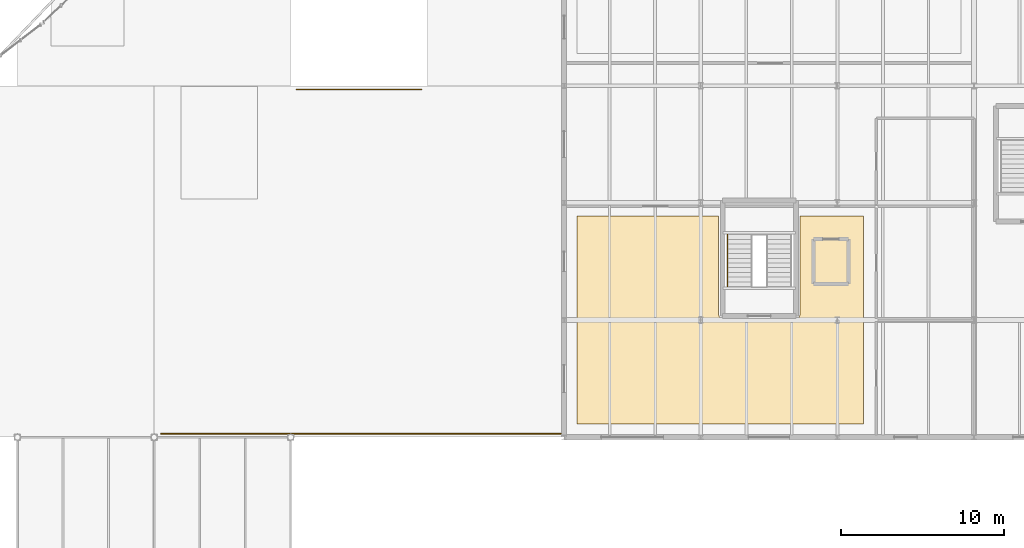
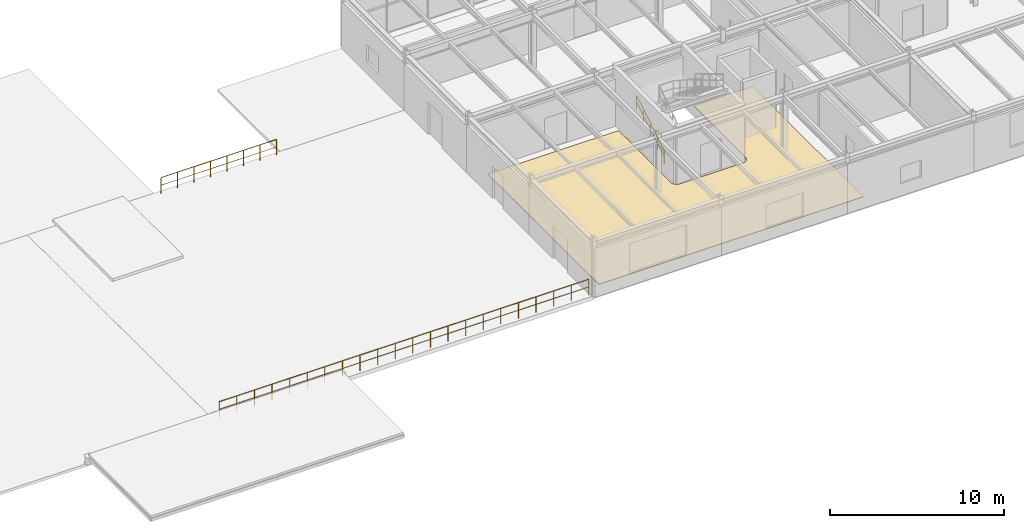
# One storey, part 70 of 73: 3 railings, 1 covering.
"""IFC4 building model written with IfcOpenShell, lengths in metres."""

from ifc_helpers import new_model, si_unit, derived_unit, direction, frame, origin, origin_2d, place, context, subcontext, project, spatial, polyline, circle, outline, extrude, material, layer, layer_set, type_object, element, save


model = new_model("IFC4")

# Units and contexts
model_context = context("Model", 3, precision=1e-05, world=origin(), true_north=direction((0.0, 1.0)))
body_context = subcontext(model_context, "Body", "Model", "MODEL_VIEW")
ifc_project = project(units=[si_unit("LENGTHUNIT", "METRE"), si_unit("AREAUNIT", "SQUARE_METRE"), si_unit("VOLUMEUNIT", "CUBIC_METRE"), si_unit("PLANEANGLEUNIT", "RADIAN"), si_unit("MASSUNIT", "GRAM", prefix="KILO"), derived_unit("THERMALTRANSMITTANCEUNIT", [(si_unit("MASSUNIT", "GRAM", prefix="KILO"), 1), (si_unit("TIMEUNIT", "SECOND"), -3), (si_unit("THERMODYNAMICTEMPERATUREUNIT", "KELVIN"), -1)])], contexts=[model_context])

# Site, building, storey
site_placement = place(None, origin())
site = spatial("IfcSite", under=ifc_project, at=site_placement, CompositionType="ELEMENT")
building_placement = place(site_placement, origin())
building = spatial("IfcBuilding", under=site, at=building_placement, Name="Kharveza Railside Sports Centre", CompositionType="ELEMENT")
storey_placement = place(building_placement, frame((0.0, 0.0, 8.699951171875)))
storey = spatial("IfcBuildingStorey", under=building, at=storey_placement, Name="L02", CompositionType="ELEMENT", Elevation=8.699951171875)

# Covering
ifc_material_1 = material(Name="Sprung maple sports flooring")
ifc_layer = layer(ifc_material_1, 0.044921875, Name="Sprung maple sports flooring")
ifc_layer_set = layer_set([ifc_layer], Name="Sprung maple sports flooring")
covering_type = type_object("IfcCoveringType", Name="CV-FL01", PredefinedType="FLOORING", material=ifc_layer_set)
covering_placement = place(storey_placement, origin())
element("IfcCovering", 1, at=covering_placement, inside=storey, type_object=covering_type, Name="COV-FL-DNC1", PredefinedType="FLOORING", context=body_context, shape_type="SweptSolid", body=[
    extrude(outline(polyline([(127.346923828125, 14.430419921875), (127.3837890625, 14.417236328125), (127.422119140625, 14.40771484375), (127.460693359375, 14.40185546875), (127.5, 14.39990234375), (131.699951171875, 14.39990234375), (131.7392578125, 14.40185546875), (131.778076171875, 14.40771484375), (131.816162109375, 14.417236328125), (131.85302734375, 14.430419921875), (131.888671875, 14.447265625), (131.922119140625, 14.46728515625), (131.953857421875, 14.49072265625), (131.98291015625, 14.51708984375), (132.00927734375, 14.546142578125), (132.03271484375, 14.577880859375), (132.052734375, 14.611328125), (132.069580078125, 14.64697265625), (132.082763671875, 14.683837890625), (132.09228515625, 14.721923828125), (132.09814453125, 14.7607421875), (132.10009765625, 14.800048828125), (132.10009765625, 20.800048828125), (136.0, 20.800048828125), (136.0, 8.0), (118.39990234375, 8.0), (118.39990234375, 20.800048828125), (127.10009765625, 20.800048828125), (127.10009765625, 14.800048828125), (127.101806640625, 14.7607421875), (127.107666015625, 14.721923828125), (127.1171875, 14.683837890625), (127.13037109375, 14.64697265625), (127.147216796875, 14.611328125), (127.16748046875, 14.577880859375), (127.19091796875, 14.546142578125), (127.21728515625, 14.51708984375), (127.24609375, 14.49072265625), (127.27783203125, 14.46728515625), (127.311279296875, 14.447265625), (127.346923828125, 14.430419921875)])), origin(), (0.0, 0.0, 1.0), 0.045166015625),
])

# Railings
ifc_material_2 = material(Name="Steel S275JR", Category="steel")
railing_type_1 = type_object("IfcRailingType", Name="RL-GD110", PredefinedType="GUARDRAIL", material=ifc_material_2)
railing_1_placement = place(storey_placement, frame((108.8427734375, 28.580078125, 0.0)))
element("IfcRailing", 2, at=railing_1_placement, inside=storey, type_object=railing_type_1, Name="RL-TERR-L02-01", PredefinedType="GUARDRAIL", context=body_context, shape_type="SweptSolid", body=[
    extrude(circle(Radius=0.02392578125, at=origin_2d()), frame((0.0, 0.0, 1.09619140625), z_axis=(-1.0, 0.0, 0.0), x_axis=(0.0, -1.0, 0.0)), (0.0, 0.0, 1.0), 7.685546875),
    extrude(circle(Radius=0.01611328125, at=origin_2d()), frame((0.0, 0.0, 0.56005859375), z_axis=(-1.0, 0.0, 0.0), x_axis=(0.0, -1.0, 0.0)), (0.0, 0.0, 1.0), 7.685546875),
    extrude(circle(Radius=0.02099609375, at=origin_2d()), origin(), (0.0, 0.0, 1.0), 1.072021484375),
    extrude(circle(Radius=0.02099609375, at=origin_2d()), frame((-1.097900390625, 0.0, 0.0)), (0.0, 0.0, 1.0), 1.072021484375),
    extrude(circle(Radius=0.02099609375, at=origin_2d()), frame((-2.19580078125, 0.0, 0.0)), (0.0, 0.0, 1.0), 1.072021484375),
    extrude(circle(Radius=0.02099609375, at=origin_2d()), frame((-3.293701171875, 0.0, 0.0)), (0.0, 0.0, 1.0), 1.072021484375),
    extrude(circle(Radius=0.02099609375, at=origin_2d()), frame((-4.391845703125, 0.0, 0.0)), (0.0, 0.0, 1.0), 1.072021484375),
    extrude(circle(Radius=0.02099609375, at=origin_2d()), frame((-5.48974609375, 0.0, 0.0)), (0.0, 0.0, 1.0), 1.072021484375),
    extrude(circle(Radius=0.02099609375, at=origin_2d()), frame((-6.587646484375, 0.0, 0.0)), (0.0, 0.0, 1.0), 1.072021484375),
    extrude(circle(Radius=0.02099609375, at=origin_2d()), frame((-7.685546875, 0.0, 0.0)), (0.0, 0.0, 1.0), 1.072021484375),
])
railing_2_placement = place(storey_placement, frame((92.820068359375, 7.419921875, 0.0)))
element("IfcRailing", 3, at=railing_2_placement, inside=storey, type_object=railing_type_1, Name="RL-TERR-L02-02", PredefinedType="GUARDRAIL", context=body_context, shape_type="SweptSolid", body=[
    extrude(circle(Radius=0.02392578125, at=origin_2d()), frame((0.0, 0.0, 1.09619140625), z_axis=(1.0, 0.0, 0.0), x_axis=(0.0, 1.0, 0.0)), (0.0, 0.0, 1.0), 24.579833984375),
    extrude(circle(Radius=0.01611328125, at=origin_2d()), frame((0.0, 0.0, 0.56005859375), z_axis=(1.0, 0.0, 0.0), x_axis=(0.0, 1.0, 0.0)), (0.0, 0.0, 1.0), 24.579833984375),
    extrude(circle(Radius=0.02099609375, at=origin_2d()), origin(), (0.0, 0.0, 1.0), 1.072021484375),
    extrude(circle(Radius=0.02099609375, at=origin_2d()), frame((1.17041015625, 0.0, 0.0)), (0.0, 0.0, 1.0), 1.072021484375),
    extrude(circle(Radius=0.02099609375, at=origin_2d()), frame((2.3408203125, 0.0, 0.0)), (0.0, 0.0, 1.0), 1.072021484375),
    extrude(circle(Radius=0.02099609375, at=origin_2d()), frame((3.511474609375, 0.0, 0.0)), (0.0, 0.0, 1.0), 1.072021484375),
    extrude(circle(Radius=0.02099609375, at=origin_2d()), frame((4.681884765625, 0.0, 0.0)), (0.0, 0.0, 1.0), 1.072021484375),
    extrude(circle(Radius=0.02099609375, at=origin_2d()), frame((5.852294921875, 0.0, 0.0)), (0.0, 0.0, 1.0), 1.072021484375),
    extrude(circle(Radius=0.02099609375, at=origin_2d()), frame((7.022705078125, 0.0, 0.0)), (0.0, 0.0, 1.0), 1.072021484375),
    extrude(circle(Radius=0.02099609375, at=origin_2d()), frame((8.193359375, 0.0, 0.0)), (0.0, 0.0, 1.0), 1.072021484375),
    extrude(circle(Radius=0.02099609375, at=origin_2d()), frame((9.36376953125, 0.0, 0.0)), (0.0, 0.0, 1.0), 1.072021484375),
    extrude(circle(Radius=0.02099609375, at=origin_2d()), frame((10.5341796875, 0.0, 0.0)), (0.0, 0.0, 1.0), 1.072021484375),
    extrude(circle(Radius=0.02099609375, at=origin_2d()), frame((11.70458984375, 0.0, 0.0)), (0.0, 0.0, 1.0), 1.072021484375),
    extrude(circle(Radius=0.02099609375, at=origin_2d()), frame((12.875244140625, 0.0, 0.0)), (0.0, 0.0, 1.0), 1.072021484375),
    extrude(circle(Radius=0.02099609375, at=origin_2d()), frame((14.045654296875, 0.0, 0.0)), (0.0, 0.0, 1.0), 1.072021484375),
    extrude(circle(Radius=0.02099609375, at=origin_2d()), frame((15.216064453125, 0.0, 0.0)), (0.0, 0.0, 1.0), 1.072021484375),
    extrude(circle(Radius=0.02099609375, at=origin_2d()), frame((16.386474609375, 0.0, 0.0)), (0.0, 0.0, 1.0), 1.072021484375),
    extrude(circle(Radius=0.02099609375, at=origin_2d()), frame((17.55712890625, 0.0, 0.0)), (0.0, 0.0, 1.0), 1.072021484375),
    extrude(circle(Radius=0.02099609375, at=origin_2d()), frame((18.7275390625, 0.0, 0.0)), (0.0, 0.0, 1.0), 1.072021484375),
    extrude(circle(Radius=0.02099609375, at=origin_2d()), frame((19.89794921875, 0.0, 0.0)), (0.0, 0.0, 1.0), 1.072021484375),
    extrude(circle(Radius=0.02099609375, at=origin_2d()), frame((21.068359375, 0.0, 0.0)), (0.0, 0.0, 1.0), 1.072021484375),
    extrude(circle(Radius=0.02099609375, at=origin_2d()), frame((22.239013671875, 0.0, 0.0)), (0.0, 0.0, 1.0), 1.072021484375),
    extrude(circle(Radius=0.02099609375, at=origin_2d()), frame((23.409423828125, 0.0, 0.0)), (0.0, 0.0, 1.0), 1.072021484375),
    extrude(circle(Radius=0.02099609375, at=origin_2d()), frame((24.579833984375, 0.0, 0.0)), (0.0, 0.0, 1.0), 1.072021484375),
])
railing_type_2 = type_object("IfcRailingType", Name="RL-HR092", PredefinedType="HANDRAIL", material=ifc_material_2)
railing_3_placement = place(storey_placement, frame((127.639892578125, 16.4599609375, 0.175048828125)))
element("IfcRailing", 4, at=railing_3_placement, inside=storey, type_object=railing_type_2, Name="STR-ST3-L02-HR1", PredefinedType="HANDRAIL", context=body_context, shape_type="SweptSolid", body=[
    extrude(circle(Radius=0.02392578125, at=origin_2d()), frame((0.0, 0.0, 0.89599609375), z_axis=(0.0, 0.856177665481, 0.516681531633), x_axis=(-1.0, 0.0, 0.0)), (0.0, 0.0, 1.0), 3.725830078125),
    extrude(circle(Radius=0.01611328125, at=origin_2d()), frame((0.0, 0.0, 0.4599609375), z_axis=(0.0, 0.856177665481, 0.516681531633), x_axis=(-1.0, 0.0, 0.0)), (0.0, 0.0, 1.0), 3.725830078125),
    extrude(circle(Radius=0.02099609375, at=origin_2d()), origin(), (0.0, 0.0, 1.0), 0.871826171875),
    extrude(circle(Radius=0.02099609375, at=origin_2d()), frame((0.0, 0.79736328125, 0.481201171875)), (0.0, 0.0, 1.0), 0.871826171875),
    extrude(circle(Radius=0.02099609375, at=origin_2d()), frame((0.0, 1.594970703125, 0.96240234375)), (0.0, 0.0, 1.0), 0.871826171875),
    extrude(circle(Radius=0.02099609375, at=origin_2d()), frame((0.0, 2.392578125, 1.44384765625)), (0.0, 0.0, 1.0), 0.871826171875),
    extrude(circle(Radius=0.02099609375, at=origin_2d()), frame((0.0, 3.18994140625, 1.925048828125)), (0.0, 0.0, 1.0), 0.871826171875),
])

save(model, "model.ifc")
